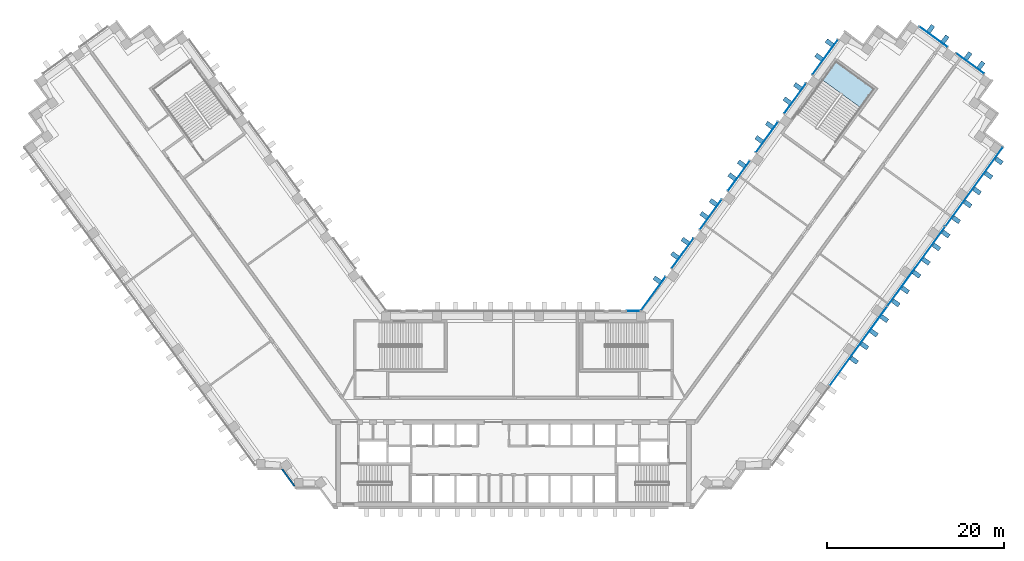
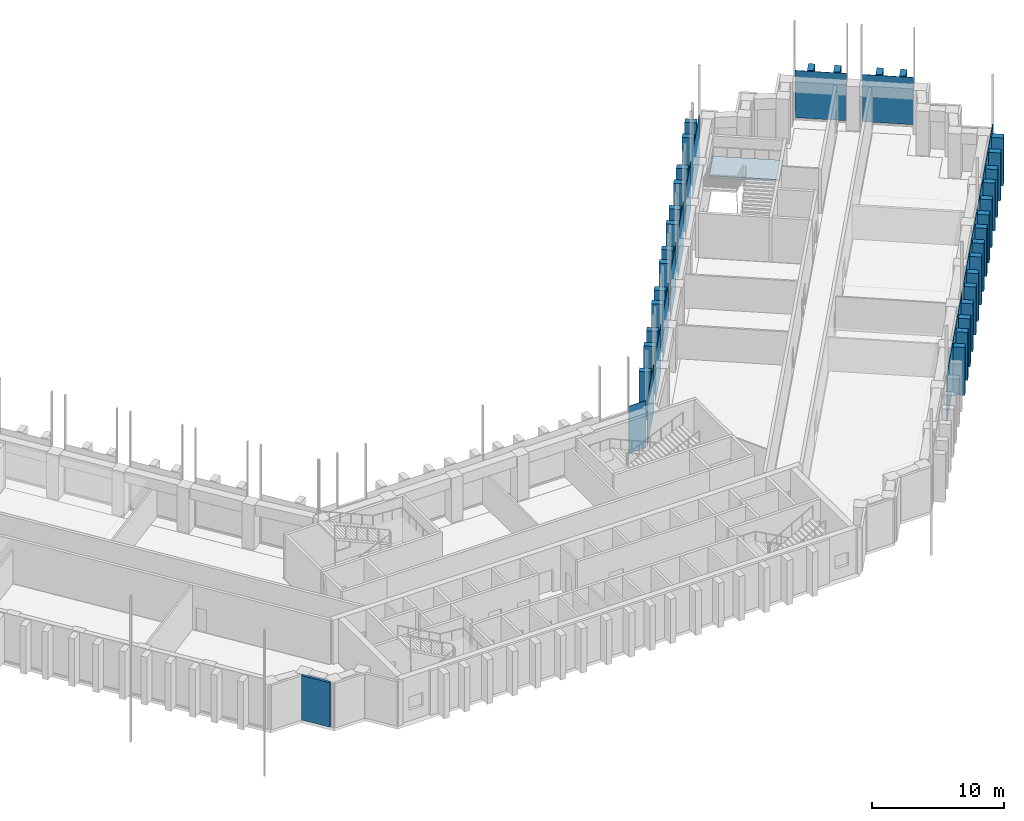
# One storey, part 8 of 18: 45 plates, 1 slab, 1 wall, 12 elements without a shape of their own.
"""IFC4 building model written with IfcOpenShell, lengths in metres."""

from ifc_helpers import new_model, si_unit, direction, frame, frame_2d, origin, origin_2d, place, context, subcontext, project, spatial, polyline, rectangle, outline, extrude, material, layer, layer_set, type_object, element, aggregate, save


model = new_model("IFC4")

# Units and contexts
model_context = context("Model", 3, precision=1e-05, world=origin(), true_north=direction((0.0, 1.0)))
body_context = subcontext(model_context, "Body", "Model", "MODEL_VIEW")
ifc_project = project(units=[si_unit("LENGTHUNIT", "METRE"), si_unit("AREAUNIT", "SQUARE_METRE"), si_unit("VOLUMEUNIT", "CUBIC_METRE"), si_unit("PLANEANGLEUNIT", "RADIAN"), si_unit("MASSUNIT", "GRAM", prefix="KILO")], contexts=[model_context])

# Site, building, storey
site_placement = place(None, origin())
site = spatial("IfcSite", under=ifc_project, at=site_placement, CompositionType="ELEMENT")
building_placement = place(site_placement, origin())
building = spatial("IfcBuilding", under=site, at=building_placement, Name="Quipu Civic Tower", CompositionType="ELEMENT")
storey_placement = place(building_placement, frame((0.0, 0.0, 16.0)))
storey = spatial("IfcBuildingStorey", under=building, at=storey_placement, Name="L03", CompositionType="ELEMENT", Elevation=16.0)

# Curtain wall, plates
ifc_material_1 = material(Name="Insulated glass unit", Category="glass")
curtain_wall_type = type_object("IfcCurtainWallType", Name="Public services curtain wall CW3", PredefinedType="NOTDEFINED", material=ifc_material_1)
curtain_wall_1_placement = place(storey_placement, origin())
curtain_wall_1 = element("IfcCurtainWall", 1, at=curtain_wall_1_placement, inside=storey, type_object=curtain_wall_type, Name="Public services curtain wall CW3 L02 run 32", PredefinedType="NOTDEFINED")
ifc_material_2 = material(Name="Insulated glass unit", Category="glass")
ifc_layer_1 = layer(ifc_material_2, 0.031982421875)
ifc_layer_set_1 = layer_set([ifc_layer_1], Name="Insulated glass unit")
plate_type_1 = type_object("IfcPlateType", Name="Glass panel CW3", PredefinedType="CURTAIN_PANEL", material=ifc_layer_set_1)
plate_1_placement = place(storey_placement, frame((38.911376953125, 7.14501953125, 0.14013671875), z_axis=(0.0, 0.0, 1.0), x_axis=(0.587785356329, 0.809016918788, 0.0)))
plate_1 = element("IfcPlate", 2, at=plate_1_placement, type_object=plate_type_1, Name="CW3 panel 2.2", PredefinedType="CURTAIN_PANEL", context=body_context, shape_type="SweptSolid", body=[
    extrude(rectangle(XDim=11.021484375, YDim=0.031982421875, at=origin_2d()), origin(), (0.0, 0.0, 1.0), 4.360107421875),
])
plate_2_placement = place(storey_placement, frame((45.448486328125, 16.142333984375, 0.14013671875), z_axis=(0.0, 0.0, 1.0), x_axis=(0.587785356329, 0.809016918788, 0.0)))
plate_2 = element("IfcPlate", 3, at=plate_2_placement, type_object=plate_type_1, Name="CW3 panel 3.2", PredefinedType="CURTAIN_PANEL", context=body_context, shape_type="SweptSolid", body=[
    extrude(rectangle(XDim=11.021484375, YDim=0.031982421875, at=origin_2d()), origin(), (0.0, 0.0, 1.0), 4.360107421875),
])
plate_3_placement = place(storey_placement, frame((51.970947265625, 25.11962890625, 0.14013671875), z_axis=(0.0, 0.0, 1.0), x_axis=(0.587785356329, 0.809016918788, 0.0)))
plate_3 = element("IfcPlate", 4, at=plate_3_placement, type_object=plate_type_1, Name="CW3 panel 4.2", PredefinedType="CURTAIN_PANEL", context=body_context, shape_type="SweptSolid", body=[
    extrude(rectangle(XDim=10.971435546875, YDim=0.031982421875, at=origin_2d()), origin(), (0.0, 0.0, 1.0), 4.360107421875),
])
aggregate(curtain_wall_1, [plate_1, plate_2, plate_3])

# Curtain wall, plate
curtain_wall_2_placement = place(storey_placement, origin())
curtain_wall_2 = element("IfcCurtainWall", 5, at=curtain_wall_2_placement, inside=storey, type_object=curtain_wall_type, Name="Public services curtain wall CW3 L02 run 37", PredefinedType="NOTDEFINED")
plate_4_placement = place(storey_placement, frame((51.51025390625, 39.033447265625, 0.14013671875), z_axis=(0.0, 0.0, 1.0), x_axis=(-0.809014568883, 0.587788590681, 0.0)))
plate_4 = element("IfcPlate", 6, at=plate_4_placement, type_object=plate_type_1, Name="CW3 panel 1.2", PredefinedType="CURTAIN_PANEL", context=body_context, shape_type="SweptSolid", body=[
    extrude(rectangle(XDim=3.898193359375, YDim=0.031982421875, at=origin_2d()), origin(), (0.0, 0.0, 1.0), 4.360107421875),
])
aggregate(curtain_wall_2, [plate_4])

curtain_wall_3_placement = place(storey_placement, origin())
curtain_wall_3 = element("IfcCurtainWall", 7, at=curtain_wall_3_placement, inside=storey, type_object=curtain_wall_type, Name="Public services curtain wall CW3 L02 run 38", PredefinedType="NOTDEFINED")
plate_5_placement = place(storey_placement, frame((47.385009765625, 42.03076171875, 0.14013671875), z_axis=(0.0, 0.0, 1.0), x_axis=(-0.809030241342, 0.587767018974, 0.0)))
plate_5 = element("IfcPlate", 8, at=plate_5_placement, type_object=plate_type_1, Name="CW3 panel 1.2", PredefinedType="CURTAIN_PANEL", context=body_context, shape_type="SweptSolid", body=[
    extrude(rectangle(XDim=3.900146484375, YDim=0.031982421875, at=origin_2d()), origin(), (0.0, 0.0, 1.0), 4.360107421875),
])
aggregate(curtain_wall_3, [plate_5])

curtain_wall_4_placement = place(storey_placement, origin())
curtain_wall_4 = element("IfcCurtainWall", 9, at=curtain_wall_4_placement, inside=storey, type_object=curtain_wall_type, Name="Public services curtain wall CW3 L02 run 43", PredefinedType="NOTDEFINED")
plate_6_placement = place(storey_placement, frame((35.149658203125, 39.736328125, 0.14013671875), z_axis=(0.0, 0.0, 1.0), x_axis=(-0.587782980465, -0.809018644949, 0.0)))
plate_6 = element("IfcPlate", 10, at=plate_6_placement, type_object=plate_type_1, Name="CW3 panel 1.2", PredefinedType="CURTAIN_PANEL", context=body_context, shape_type="SweptSolid", body=[
    extrude(rectangle(XDim=4.89453125, YDim=0.031982421875, at=origin_2d()), origin(), (0.0, 0.0, 1.0), 4.360107421875),
])
aggregate(curtain_wall_4, [plate_6])

curtain_wall_5_placement = place(storey_placement, origin())
curtain_wall_5 = element("IfcCurtainWall", 11, at=curtain_wall_5_placement, inside=storey, type_object=curtain_wall_type, Name="Public services curtain wall CW3 L02 run 44", PredefinedType="NOTDEFINED")
plate_7_placement = place(storey_placement, frame((31.771484375, 35.086669921875, 0.14013671875), z_axis=(0.0, 0.0, 1.0), x_axis=(-0.587789203544, -0.809014123608, 0.0)))
plate_7 = element("IfcPlate", 12, at=plate_7_placement, type_object=plate_type_1, Name="CW3 panel 1.2", PredefinedType="CURTAIN_PANEL", context=body_context, shape_type="SweptSolid", body=[
    extrude(rectangle(XDim=4.199951171875, YDim=0.031982421875, at=origin_2d()), origin(), (0.0, 0.0, 1.0), 4.360107421875),
])
aggregate(curtain_wall_5, [plate_7])

curtain_wall_6_placement = place(storey_placement, origin())
curtain_wall_6 = element("IfcCurtainWall", 13, at=curtain_wall_6_placement, inside=storey, type_object=curtain_wall_type, Name="Public services curtain wall CW3 L02 run 45", PredefinedType="NOTDEFINED")
plate_8_placement = place(storey_placement, frame((28.597412109375, 30.718017578125, 0.14013671875), z_axis=(0.0, 0.0, 1.0), x_axis=(-0.587785135859, -0.809017078969, 0.0)))
plate_8 = element("IfcPlate", 14, at=plate_8_placement, type_object=plate_type_1, Name="CW3 panel 1.2", PredefinedType="CURTAIN_PANEL", context=body_context, shape_type="SweptSolid", body=[
    extrude(rectangle(XDim=4.199951171875, YDim=0.031982421875, at=origin_2d()), origin(), (0.0, 0.0, 1.0), 4.360107421875),
])
aggregate(curtain_wall_6, [plate_8])

curtain_wall_7_placement = place(storey_placement, origin())
curtain_wall_7 = element("IfcCurtainWall", 15, at=curtain_wall_7_placement, inside=storey, type_object=curtain_wall_type, Name="Public services curtain wall CW3 L02 run 46", PredefinedType="NOTDEFINED")
plate_9_placement = place(storey_placement, frame((25.42333984375, 26.349365234375, 0.14013671875), z_axis=(0.0, 0.0, 1.0), x_axis=(-0.587789203544, -0.809014123608, 0.0)))
plate_9 = element("IfcPlate", 16, at=plate_9_placement, type_object=plate_type_1, Name="CW3 panel 1.2", PredefinedType="CURTAIN_PANEL", context=body_context, shape_type="SweptSolid", body=[
    extrude(rectangle(XDim=4.199951171875, YDim=0.031982421875, at=origin_2d()), origin(), (0.0, 0.0, 1.0), 4.360107421875),
])
aggregate(curtain_wall_7, [plate_9])

curtain_wall_8_placement = place(storey_placement, origin())
curtain_wall_8 = element("IfcCurtainWall", 17, at=curtain_wall_8_placement, inside=storey, type_object=curtain_wall_type, Name="Public services curtain wall CW3 L02 run 47", PredefinedType="NOTDEFINED")
plate_10_placement = place(storey_placement, frame((22.24951171875, 21.98046875, 0.14013671875), z_axis=(0.0, 0.0, 1.0), x_axis=(-0.587774328321, -0.809024930992, 0.0)))
plate_10 = element("IfcPlate", 18, at=plate_10_placement, type_object=plate_type_1, Name="CW3 panel 1.2", PredefinedType="CURTAIN_PANEL", context=body_context, shape_type="SweptSolid", body=[
    extrude(rectangle(XDim=4.199951171875, YDim=0.031982421875, at=origin_2d()), origin(), (0.0, 0.0, 1.0), 4.360107421875),
])
aggregate(curtain_wall_8, [plate_10])

curtain_wall_9_placement = place(storey_placement, origin())
curtain_wall_9 = element("IfcCurtainWall", 19, at=curtain_wall_9_placement, inside=storey, type_object=curtain_wall_type, Name="Public services curtain wall CW3 L02 run 48", PredefinedType="NOTDEFINED")
plate_11_placement = place(storey_placement, frame((19.075439453125, 17.61181640625, 0.14013671875), z_axis=(0.0, 0.0, 1.0), x_axis=(-0.587800011079, -0.809006271283, 0.0)))
plate_11 = element("IfcPlate", 20, at=plate_11_placement, type_object=plate_type_1, Name="CW3 panel 1.2", PredefinedType="CURTAIN_PANEL", context=body_context, shape_type="SweptSolid", body=[
    extrude(rectangle(XDim=4.199951171875, YDim=0.031982421875, at=origin_2d()), origin(), (0.0, 0.0, 1.0), 4.360107421875),
])
aggregate(curtain_wall_9, [plate_11])

curtain_wall_10_placement = place(storey_placement, origin())
curtain_wall_10 = element("IfcCurtainWall", 21, at=curtain_wall_10_placement, inside=storey, type_object=curtain_wall_type, Name="Public services curtain wall CW3 L02 run 49", PredefinedType="NOTDEFINED")
plate_12_placement = place(storey_placement, frame((15.769287109375, 13.0615234375, 0.14013671875), z_axis=(0.0, 0.0, 1.0), x_axis=(-0.587795194797, -0.809009770629, 0.0)))
plate_12 = element("IfcPlate", 22, at=plate_12_placement, type_object=plate_type_1, Name="CW3 panel 1.2", PredefinedType="CURTAIN_PANEL", context=body_context, shape_type="SweptSolid", body=[
    extrude(rectangle(XDim=4.649169921875, YDim=0.031982421875, at=origin_2d()), origin(), (0.0, 0.0, 1.0), 4.360107421875),
])
aggregate(curtain_wall_10, [plate_12])

curtain_wall_11_placement = place(storey_placement, origin())
curtain_wall_11 = element("IfcCurtainWall", 23, at=curtain_wall_11_placement, inside=storey, type_object=curtain_wall_type, Name="Public services curtain wall CW3 L02 run 50", PredefinedType="NOTDEFINED")
plate_13_placement = place(storey_placement, frame((13.49951171875, 11.10009765625, 0.14013671875), z_axis=(0.0, 0.0, 1.0), x_axis=(-1.0, 0.0, 0.0)))
plate_13 = element("IfcPlate", 24, at=plate_13_placement, type_object=plate_type_1, Name="CW3 panel 1.2", PredefinedType="CURTAIN_PANEL", context=body_context, shape_type="SweptSolid", body=[
    extrude(rectangle(XDim=1.4892578125, YDim=0.031982421875, at=origin_2d()), origin(), (0.0, 0.0, 1.0), 4.360107421875),
])
aggregate(curtain_wall_11, [plate_13])

# Plates
ifc_material_3 = material(Name="Precast concrete C40/50", Category="concrete")
plate_type_2 = type_object("IfcPlateType", Name="Precast fin F0", PredefinedType="SHEET", material=ifc_material_3)
for number, where, z_axis, x_axis, name in (
    (25, (38.426025390625, 5.541015625, 0.06982421875), (0.0, 0.0, 1.0), (0.587785716149, 0.809016657363, 0.0), "Precast fin F0 L03.P33.8"),
    (26, (39.6015625, 7.1591796875, 0.06982421875), (0.0, 0.0, 1.0), (0.587785716149, 0.809016657363, 0.0), "Precast fin F0 L03.P33.9"),
    (27, (40.65966796875, 8.615234375, 0.06982421875), (0.0, 0.0, 1.0), (0.587785716149, 0.809016657363, 0.0), "Precast fin F0 L03.P33.10"),
    (28, (41.835205078125, 10.2333984375, 0.06982421875), (0.0, 0.0, 1.0), (0.587785716149, 0.809016657363, 0.0), "Precast fin F0 L03.P33.11"),
    (29, (43.12841796875, 12.01318359375, 0.06982421875), (0.0, 0.0, 1.0), (0.587785716149, 0.809016657363, 0.0), "Precast fin F0 L03.P33.12"),
    (30, (44.186279296875, 13.469482421875, 0.06982421875), (0.0, 0.0, 1.0), (0.587785716149, 0.809016657363, 0.0), "Precast fin F0 L03.P33.13"),
    (31, (45.4794921875, 15.249267578125, 0.06982421875), (0.0, 0.0, 1.0), (0.587785716149, 0.809016657363, 0.0), "Precast fin F0 L03.P33.14"),
    (32, (46.537353515625, 16.70556640625, 0.06982421875), (0.0, 0.0, 1.0), (0.587785716149, 0.809016657363, 0.0), "Precast fin F0 L03.P33.15"),
    (33, (47.713134765625, 18.323486328125, 0.06982421875), (0.0, 0.0, 1.0), (0.587785716149, 0.809016657363, 0.0), "Precast fin F0 L03.P33.16"),
    (34, (48.77099609375, 19.77978515625, 0.06982421875), (0.0, 0.0, 1.0), (0.587785716149, 0.809016657363, 0.0), "Precast fin F0 L03.P33.17"),
    (35, (49.946533203125, 21.397705078125, 0.06982421875), (0.0, 0.0, 1.0), (0.587785716149, 0.809016657363, 0.0), "Precast fin F0 L03.P33.18"),
    (36, (51.23974609375, 23.177734375, 0.06982421875), (0.0, 0.0, 1.0), (0.587785716149, 0.809016657363, 0.0), "Precast fin F0 L03.P33.19"),
    (37, (52.2978515625, 24.6337890625, 0.06982421875), (0.0, 0.0, 1.0), (0.587785716149, 0.809016657363, 0.0), "Precast fin F0 L03.P33.20"),
    (38, (53.5908203125, 26.413818359375, 0.06982421875), (0.0, 0.0, 1.0), (0.587785716149, 0.809016657363, 0.0), "Precast fin F0 L03.P33.21"),
    (39, (54.766357421875, 28.03173828125, 0.06982421875), (0.0, 0.0, 1.0), (0.587785716149, 0.809016657363, 0.0), "Precast fin F0 L03.P33.22"),
    (40, (52.73828125, 38.821044921875, 0.06982421875), (0.0, 0.0, 1.0), (-0.809021318545, 0.587779300537, 0.0), "Precast fin F0 L03.P38.1"),
    (41, (51.281982421875, 39.879150390625, 0.06982421875), (0.0, 0.0, 1.0), (-0.809021318545, 0.587779300537, 0.0), "Precast fin F0 L03.P38.2"),
    (42, (48.686279296875, 41.76513671875, 0.06982421875), (0.0, 0.0, 1.0), (-0.809021318545, 0.587779300537, 0.0), "Precast fin F0 L03.P39.1"),
    (43, (47.068115234375, 42.940673828125, 0.06982421875), (0.0, 0.0, 1.0), (-0.809021318545, 0.587779300537, 0.0), "Precast fin F0 L03.P39.2"),
    (44, (35.64453125, 41.35302734375, 0.06982421875), (0.0, 0.0, 1.0), (-0.587784944053, -0.809017218324, 0.0), "Precast fin F0 L03.P44.1"),
    (45, (34.468994140625, 39.73486328125, 0.06982421875), (0.0, 0.0, 1.0), (-0.587784944053, -0.809017218324, 0.0), "Precast fin F0 L03.P44.2"),
    (46, (32.066650390625, 36.428466796875, 0.06982421875), (0.0, 0.0, 1.0), (-0.587784944053, -0.809017218324, 0.0), "Precast fin F0 L03.P45.1"),
    (47, (30.89111328125, 34.810546875, 0.06982421875), (0.0, 0.0, 1.0), (-0.587784944053, -0.809017218324, 0.0), "Precast fin F0 L03.P45.2"),
    (48, (28.896484375, 32.065185546875, 0.06982421875), (0.0, 0.0, 1.0), (-0.587784944053, -0.809017218324, 0.0), "Precast fin F0 L03.P46.1"),
    (49, (27.720947265625, 30.447265625, 0.06982421875), (0.0, 0.0, 1.0), (-0.587784944053, -0.809017218324, 0.0), "Precast fin F0 L03.P46.2"),
    (50, (25.7265625, 27.7021484375, 0.06982421875), (0.0, 0.0, 1.0), (-0.587784944053, -0.809017218324, 0.0), "Precast fin F0 L03.P47.1"),
    (51, (24.66845703125, 26.245849609375, 0.06982421875), (0.0, 0.0, 1.0), (-0.587784944053, -0.809017218324, 0.0), "Precast fin F0 L03.P47.2"),
    (52, (22.556396484375, 23.3388671875, 0.06982421875), (0.0, 0.0, 1.0), (-0.587784944053, -0.809017218324, 0.0), "Precast fin F0 L03.P48.1"),
    (53, (21.49853515625, 21.882568359375, 0.06982421875), (0.0, 0.0, 1.0), (-0.587784944053, -0.809017218324, 0.0), "Precast fin F0 L03.P48.2"),
    (54, (19.386474609375, 18.9755859375, 0.06982421875), (0.0, 0.0, 1.0), (-0.587784944053, -0.809017218324, 0.0), "Precast fin F0 L03.P49.1"),
    (55, (18.2109375, 17.357666015625, 0.06982421875), (0.0, 0.0, 1.0), (-0.587784944053, -0.809017218324, 0.0), "Precast fin F0 L03.P49.2"),
    (56, (16.21630859375, 14.612548828125, 0.06982421875), (0.0, 0.0, 1.0), (-0.587784944053, -0.809017218324, 0.0), "Precast fin F0 L03.P50.1"),
):
    element("IfcPlate", number, at=place(storey_placement, frame(where, z_axis=z_axis, x_axis=x_axis)), inside=storey, type_object=plate_type_2, Name=name, PredefinedType="SHEET", context=body_context, shape_type="SweptSolid", body=[
        extrude(rectangle(XDim=0.5, YDim=0.89990234375, at=origin_2d()), origin(), (0.0, 0.0, 1.0), 4.429931640625),
    ])

# Stair, slab
ifc_material_4 = material(Name="Concrete C40/50", Category="concrete")
stair_type = type_object("IfcStairType", Name="Half turn stair 2600", PredefinedType="HALF_TURN_STAIR", material=ifc_material_4)
stair_placement = place(storey_placement, origin())
stair = element("IfcStair", 57, at=stair_placement, inside=storey, type_object=stair_type, Name="Exit stair 7", PredefinedType="HALF_TURN_STAIR")
ifc_material_5 = material(Name="Concrete C40/50", Category="concrete")
ifc_layer_2 = layer(ifc_material_5, 0.199951171875)
ifc_layer_set_2 = layer_set([ifc_layer_2], Name="Concrete C40/50")
slab_type = type_object("IfcSlabType", Name="Stair landing 200", PredefinedType="LANDING", material=ifc_layer_set_2)
slab_placement = place(storey_placement, frame((0.0, 0.0, 2.050048828125)))
slab = element("IfcSlab", 58, at=slab_placement, type_object=slab_type, Name="ST-7 landing 1", PredefinedType="LANDING", context=body_context, shape_type="SweptSolid", body=[
    extrude(outline(polyline([(39.16552734375, 34.034912109375), (40.69384765625, 36.138427734375), (36.365478515625, 39.282958984375), (34.837158203125, 37.179443359375), (39.16552734375, 34.034912109375)])), origin(), (0.0, 0.0, 1.0), 0.199951171875),
])
aggregate(stair, [slab])

# Wall
ifc_material_6 = material(Name="Precast concrete C40/50", Category="concrete")
wall_type = type_object("IfcWallType", Name="Precast cladding wall", PredefinedType="SOLIDWALL", material=ifc_material_6)
wall_placement = place(storey_placement, frame((-26.1201171875, -6.72412109375, 0.0), z_axis=(0.0, 0.0, 1.0), x_axis=(0.587706476352, -0.809074222587, 0.0)))
element("IfcWall", 59, at=wall_placement, inside=storey, type_object=wall_type, Name="Precast cladding wall L03 P20", PredefinedType="SOLIDWALL", context=body_context, shape_type="SweptSolid", body=[
    extrude(rectangle(XDim=2.403076171875, YDim=0.199951171875, at=frame_2d((1.20166015625, 0.0))), origin(), (0.0, 0.0, 1.0), 4.10009765625),
])

save(model, "model.ifc")
